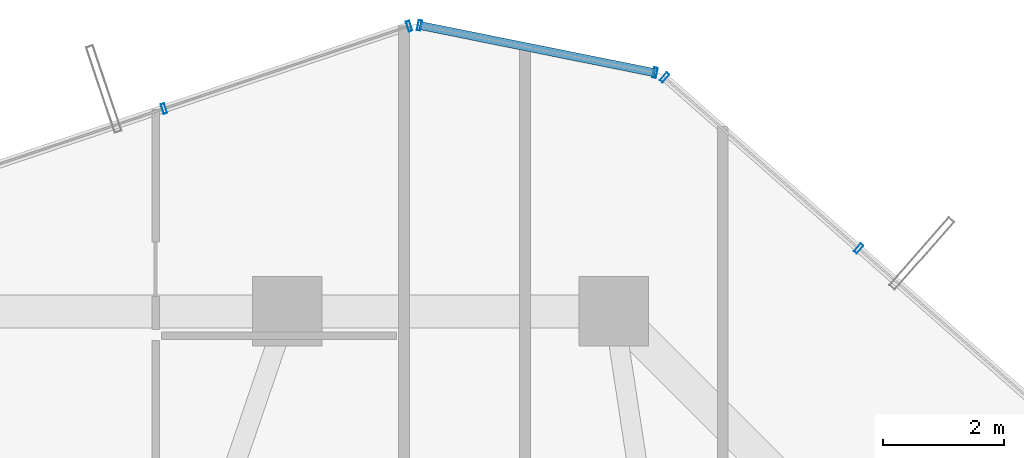
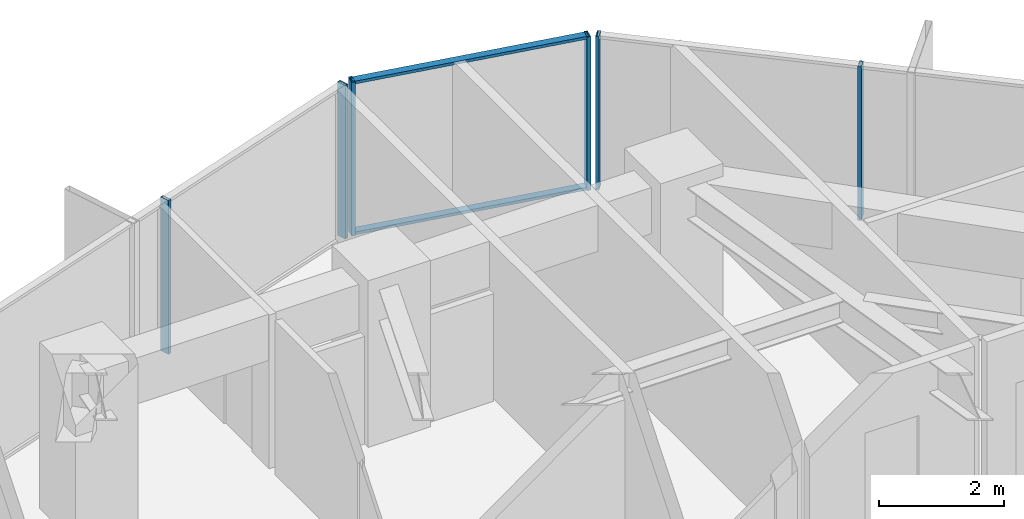
# One storey, part 23 of 32: 8 members, 3 elements without a shape of their own.
"""IFC4 building model written with IfcOpenShell, lengths in metres."""

import ifcopenshell
import ifcopenshell.guid

model = None  # the IFC model being written
_history = None  # IfcOwnerHistory: only IFC2X3 demands one
_inside = {}  # id of a spatial element -> (the spatial element, [elements in it])
_under = {}  # id of a project, library or spatial element -> (it, [spatial elements below it])
_declared = {}  # id of a project -> (the project, [libraries it declares])
_typed = {}  # id of a type object -> (the type object, [elements of that type])
_made_of = {}  # id of a material, layer set ... -> (it, [elements and type objects made of it])


def new_model(schema):
    """Start an empty IFC model of exactly this schema.

    Asked for "IFC4X3", IfcOpenShell would pick the latest addendum, in which some entities
    have other attributes; the version numbers below select the first issue.
    IFC2X3 requires an IfcOwnerHistory on every rooted entity: one is made here for all.
    """
    global model, _history
    if schema == "IFC4X3":
        model = ifcopenshell.file(schema_version=(4, 3, 0, 0))
    else:
        model = ifcopenshell.file(schema=schema)
    _inside.clear()
    _under.clear()
    _declared.clear()
    _typed.clear()
    _made_of.clear()
    _history = None
    if model.schema == "IFC2X3":
        org = make("IfcOrganization", Name="unknown")
        user = make(
            "IfcPersonAndOrganization",
            ThePerson=make("IfcPerson", FamilyName="unknown"),
            TheOrganization=org,
        )
        app = make(
            "IfcApplication",
            ApplicationDeveloper=org,
            Version="unknown",
            ApplicationFullName="unknown",
            ApplicationIdentifier="unknown",
        )
        _history = make(
            "IfcOwnerHistory",
            OwningUser=user,
            OwningApplication=app,
            ChangeAction="ADDED",
            CreationDate=0,
        )
    return model


def make(cls, **values):
    """One entity of the class cls with the attributes given. An attribute that is None is left unset."""
    return model.create_entity(
        cls, **{name: value for name, value in values.items() if value is not None}
    )


def rooted(cls, **values):
    """An entity with a GlobalId (a new one), such as an element, a storey or a relation."""
    return make(cls, GlobalId=ifcopenshell.guid.new(), OwnerHistory=_history, **values)


def si_unit(unit_type, name, prefix=None):
    """IfcSIUnit, for example si_unit("LENGTHUNIT", "METRE", prefix="MILLI")."""
    return make("IfcSIUnit", UnitType=unit_type, Prefix=prefix, Name=name)


def assignment(units):
    """IfcUnitAssignment: the units of a project."""
    return None if units is None else make("IfcUnitAssignment", Units=units)


def point(xyz):
    """IfcCartesianPoint."""
    return None if xyz is None else make("IfcCartesianPoint", Coordinates=xyz)


def direction(xyz):
    """IfcDirection."""
    return None if xyz is None else make("IfcDirection", DirectionRatios=xyz)


def frame(location, z_axis=None, x_axis=None):
    """IfcAxis2Placement3D, a coordinate frame: its origin and axes. An axis left out is left unset."""
    return make(
        "IfcAxis2Placement3D",
        Location=point(location),
        Axis=direction(z_axis),
        RefDirection=direction(x_axis),
    )


def frame_2d(location, x_axis=None):
    """IfcAxis2Placement2D, a coordinate frame in the plane: its origin and x axis."""
    return make(
        "IfcAxis2Placement2D", Location=point(location), RefDirection=direction(x_axis)
    )


def origin():
    """The frame at (0, 0, 0) with its axes left unset."""
    return frame((0.0, 0.0, 0.0))


def origin_2d():
    """The frame at (0, 0) in the plane with its x axis left unset."""
    return frame_2d((0.0, 0.0))


def place(relative_to, where):
    """IfcLocalPlacement: puts the frame where relative to a parent placement (None: the world)."""
    return make(
        "IfcLocalPlacement", PlacementRelTo=relative_to, RelativePlacement=where
    )


def context(
    kind, dimensions, precision=None, world=None, true_north=None, identifier=None
):
    """IfcGeometricRepresentationContext, for example the 3D "Model" context."""
    return make(
        "IfcGeometricRepresentationContext",
        ContextIdentifier=identifier,
        ContextType=kind,
        CoordinateSpaceDimension=dimensions,
        Precision=precision,
        WorldCoordinateSystem=world,
        TrueNorth=true_north,
    )


def subcontext(parent, identifier, kind, view, scale=None):
    """IfcGeometricRepresentationSubContext, for example "Body" below "Model"."""
    return make(
        "IfcGeometricRepresentationSubContext",
        ContextIdentifier=identifier,
        ContextType=kind,
        ParentContext=parent,
        TargetScale=scale,
        TargetView=view,
    )


def project(units=None, contexts=None):
    """IfcProject with its units and contexts."""
    return rooted(
        "IfcProject",
        Name="project",
        RepresentationContexts=contexts,
        UnitsInContext=assignment(units),
    )


def spatial(cls, under=None, at=None, **own):
    """A site, building, storey or space (cls), placed at a placement, below another one or the project."""
    s = rooted(cls, ObjectPlacement=at, **own)
    if under is not None:
        _under.setdefault(under.id(), (under, []))[1].append(s)
    return s


def profile(cls, at=None, kind="AREA", **sizes):
    """A parametric profile (cls). Its sizes go by their IFC names, for example OverallWidth=200.0."""
    return make(cls, ProfileType=kind, Position=at, **sizes)


def hollow_rectangle(**sizes):
    """IfcRectangleHollowProfileDef."""
    return profile("IfcRectangleHollowProfileDef", **sizes)


def extrude(swept, where, along, depth):
    """IfcExtrudedAreaSolid: the profile swept, set in the frame where, extruded along a direction by depth."""
    return make(
        "IfcExtrudedAreaSolid",
        SweptArea=swept,
        Position=where,
        ExtrudedDirection=direction(along),
        Depth=depth,
    )


def shape(context_of_items, identifier, shape_type, items):
    """IfcShapeRepresentation: the items that make up one representation, for example the "Body"."""
    return make(
        "IfcShapeRepresentation",
        ContextOfItems=context_of_items,
        RepresentationIdentifier=identifier,
        RepresentationType=shape_type,
        Items=items,
    )


def source(mapping_origin, context_of_items, identifier, shape_type, items):
    """IfcRepresentationMap: a shape defined once, which mapped items show again and again."""
    return make(
        "IfcRepresentationMap",
        MappingOrigin=mapping_origin,
        MappedRepresentation=shape(context_of_items, identifier, shape_type, items),
    )


def transform(
    local_origin,
    x_axis=None,
    y_axis=None,
    z_axis=None,
    scale=None,
    scale2=None,
    scale3=None,
    uniform=True,
):
    """IfcCartesianTransformationOperator3D, or its non-uniform kind. x_axis, y_axis, z_axis: its Axis1, 2, 3."""
    if uniform:
        return make(
            "IfcCartesianTransformationOperator3D",
            Axis1=direction(x_axis),
            Axis2=direction(y_axis),
            LocalOrigin=point(local_origin),
            Scale=scale,
            Axis3=direction(z_axis),
        )
    return make(
        "IfcCartesianTransformationOperator3DnonUniform",
        Axis1=direction(x_axis),
        Axis2=direction(y_axis),
        LocalOrigin=point(local_origin),
        Scale=scale,
        Axis3=direction(z_axis),
        Scale2=scale2,
        Scale3=scale3,
    )


def mapped(mapping_source, mapping_target):
    """IfcMappedItem: shows the shape of a source again, moved by a transform."""
    return make(
        "IfcMappedItem", MappingSource=mapping_source, MappingTarget=mapping_target
    )


def material(Name=None, Category=None):
    """IfcMaterial."""
    return make("IfcMaterial", Name=Name, Category=Category)


def layer(
    of_material, thickness, ventilated=None, Name=None, Category=None, Priority=None
):
    """IfcMaterialLayer: one layer of a wall or slab, of a material (None: an air gap)."""
    return make(
        "IfcMaterialLayer",
        Material=of_material,
        LayerThickness=thickness,
        IsVentilated=ventilated,
        Name=Name,
        Category=Category,
        Priority=Priority,
    )


def layer_set(layers, Name=None):
    """IfcMaterialLayerSet."""
    return make("IfcMaterialLayerSet", MaterialLayers=layers, LayerSetName=Name)


def material_profile(
    of_material, cross_section, Name=None, Category=None, Priority=None
):
    """IfcMaterialProfile: a cross section and its material."""
    return make(
        "IfcMaterialProfile",
        Name=Name,
        Material=of_material,
        Profile=cross_section,
        Priority=Priority,
        Category=Category,
    )


def profile_set(profiles, Name=None, composite=None):
    """IfcMaterialProfileSet."""
    return make(
        "IfcMaterialProfileSet",
        Name=Name,
        MaterialProfiles=profiles,
        CompositeProfile=composite,
    )


def made_of(thing, what):
    """Note that an element or type object is made of a material, layer set ...; save() writes the relation."""
    if what is not None:
        _made_of.setdefault(what.id(), (what, []))[1].append(thing)
    return thing


def type_object(cls, material=None, **own):
    """A type object (cls), such as IfcWallType, which elements share."""
    return made_of(rooted(cls, **own), material)


def element(
    cls,
    number,
    at=None,
    inside=None,
    cuts=None,
    type_object=None,
    material=None,
    context=None,
    identifier="Body",
    shape_type=None,
    held_by="IfcProductDefinitionShape",
    body=None,
    shapes=None,
    **own,
):
    """One element of the class cls, such as IfcWall. Its Tag is "e" and its number.

    at: its placement. inside: the storey or other place that contains it. cuts: it is an
    opening in that element (IfcRelVoidsElement). A single representation is given by context,
    identifier, shape_type and body (its items); several are given by shapes. held_by: the class
    of the entity that holds the representations. save() writes the other relations.
    """
    e = rooted(cls, Tag="e%d" % number, ObjectPlacement=at, **own)
    if body is not None:
        shapes = [shape(context, identifier, shape_type, body)]
    if shapes is not None:
        e.Representation = make(held_by, Representations=shapes)
    if inside is not None:
        _inside.setdefault(inside.id(), (inside, []))[1].append(e)
    if cuts is not None:
        rooted(
            "IfcRelVoidsElement", RelatingBuildingElement=cuts, RelatedOpeningElement=e
        )
    if type_object is not None:
        _typed.setdefault(type_object.id(), (type_object, []))[1].append(e)
    return made_of(e, material)


def aggregate(whole, parts):
    """IfcRelAggregates: a whole, such as a stair, and the parts it consists of."""
    return rooted("IfcRelAggregates", RelatingObject=whole, RelatedObjects=parts)


def save(model, path):
    """Write the relations noted so far, then the file.

    IfcRelAggregates (storeys below a building ...), IfcRelContainedInSpatialStructure (elements
    in a storey), IfcRelDefinesByType, IfcRelAssociatesMaterial and IfcRelDeclares: one each for
    every whole, place, type object, material and project.
    """
    for whole, parts in _under.values():
        aggregate(whole, parts)
    for where, things in _inside.values():
        rooted(
            "IfcRelContainedInSpatialStructure",
            RelatedElements=things,
            RelatingStructure=where,
        )
    for kind, things in _typed.values():
        rooted("IfcRelDefinesByType", RelatedObjects=things, RelatingType=kind)
    for what, things in _made_of.values():
        rooted("IfcRelAssociatesMaterial", RelatedObjects=things, RelatingMaterial=what)
    for by, libraries in _declared.values():
        rooted("IfcRelDeclares", RelatingContext=by, RelatedDefinitions=libraries)
    model.write(path)


model = new_model("IFC4")

# Units and contexts
model_context = context("Model", 3, precision=1e-05, world=origin(), true_north=direction((0.0, 1.0)))
body_context = subcontext(model_context, "Body", "Model", "MODEL_VIEW")
ifc_project = project(units=[si_unit("LENGTHUNIT", "METRE"), si_unit("AREAUNIT", "SQUARE_METRE"), si_unit("VOLUMEUNIT", "CUBIC_METRE"), si_unit("PLANEANGLEUNIT", "RADIAN"), si_unit("MASSUNIT", "GRAM", prefix="KILO")], contexts=[model_context])

# Site, building, storey
site_placement = place(None, origin())
site = spatial("IfcSite", under=ifc_project, at=site_placement, CompositionType="ELEMENT")
building_placement = place(site_placement, origin())
building = spatial("IfcBuilding", under=site, at=building_placement, Name="Veraguas Prism Commons", CompositionType="ELEMENT")
storey_placement = place(building_placement, frame((0.0, 0.0, 89.449951171875)))
storey = spatial("IfcBuildingStorey", under=building, at=storey_placement, Name="L24", CompositionType="ELEMENT", Elevation=89.449951171875)

# Curtain wall, members
ifc_material = material(Name="Anodised aluminium EN AW-6063 T6", Category="aluminium")
ifc_layer = layer(ifc_material, 0.169921875, Name="Unitised Flush Curtain Wall Zone 2", Category="aluminium")
ifc_layer_set = layer_set([ifc_layer], Name="Anodised aluminium EN AW-6063 T6")
curtain_wall_type = type_object("IfcCurtainWallType", Name="Unitised Flush Curtain Wall Zone 2", PredefinedType="NOTDEFINED", material=ifc_layer_set)
curtain_wall_1_placement = place(storey_placement, origin())
curtain_wall_1 = element("IfcCurtainWall", 1, at=curtain_wall_1_placement, inside=storey, type_object=curtain_wall_type, Name="Tower Facade Curtain Wall L24-F1", PredefinedType="NOTDEFINED")
ifc_material_profile_1 = material_profile(ifc_material, hollow_rectangle(XDim=0.06005859375, YDim=0.169921875, WallThickness=0.00390625, at=origin_2d()), Name="AL60X170X4")
ifc_profile_set_1 = profile_set([ifc_material_profile_1], Name="Anodised aluminium EN AW-6063 T6")
member_type_1 = type_object("IfcMemberType", Name="Curtain Wall Mullion Lower AL 60x170x4", PredefinedType="MULLION", material=ifc_profile_set_1)
shared_shape_1 = source(origin(), body_context, "Body", "SweptSolid", [
    extrude(hollow_rectangle(XDim=0.06005859375, YDim=0.169921875, WallThickness=0.00390625, at=origin_2d()), origin(), (0.0, 0.0, 1.0), 3.0),
])
member_1_placement = place(storey_placement, frame((33.447509765625, 41.24169921875, 0.0), z_axis=(0.0, 0.0, 1.0), x_axis=(-0.750341865315, 0.661049986881, 0.0)))
member_1 = element("IfcMember", 2, at=member_1_placement, type_object=member_type_1, Name="CW-Z2 Mullion 4", PredefinedType="MULLION", context=body_context, shape_type="MappedRepresentation", body=[
    mapped(shared_shape_1, transform((0.0, 0.0, 0.0), scale=1.0)),
])
member_2_placement = place(storey_placement, frame((30.2373046875, 44.070068359375, 0.0), z_axis=(0.0, 0.0, 1.0), x_axis=(-0.750341865315, 0.661049986881, 0.0)))
member_2 = element("IfcMember", 3, at=member_2_placement, type_object=member_type_1, Name="CW-Z2 Mullion 5", PredefinedType="MULLION", context=body_context, shape_type="MappedRepresentation", body=[
    mapped(shared_shape_1, transform((0.0, 0.0, 0.0), scale=1.0)),
])
aggregate(curtain_wall_1, [member_1, member_2])

curtain_wall_2_placement = place(storey_placement, origin())
curtain_wall_2 = element("IfcCurtainWall", 4, at=curtain_wall_2_placement, inside=storey, type_object=curtain_wall_type, Name="Tower Facade Curtain Wall L24-F2", PredefinedType="NOTDEFINED")
member_3_placement = place(storey_placement, frame((26.012939453125, 44.920166015625, 0.0), z_axis=(0.0, 0.0, 1.0), x_axis=(-0.94765924351, -0.319283507543, 0.0)))
member_3 = element("IfcMember", 5, at=member_3_placement, type_object=member_type_1, Name="CW-Z2 Mullion 1", PredefinedType="MULLION", context=body_context, shape_type="MappedRepresentation", body=[
    mapped(shared_shape_1, transform((0.0, 0.0, 0.0), scale=1.0)),
])
member_4_placement = place(storey_placement, frame((21.958251953125, 43.553955078125, 0.0), z_axis=(0.0, 0.0, 1.0), x_axis=(-0.94765924351, -0.319283507543, 0.0)))
member_4 = element("IfcMember", 6, at=member_4_placement, type_object=member_type_1, Name="CW-Z2 Mullion 2", PredefinedType="MULLION", context=body_context, shape_type="MappedRepresentation", body=[
    mapped(shared_shape_1, transform((0.0, 0.0, 0.0), scale=1.0)),
])
aggregate(curtain_wall_2, [member_3, member_4])

curtain_wall_3_placement = place(storey_placement, origin())
curtain_wall_3 = element("IfcCurtainWall", 7, at=curtain_wall_3_placement, inside=storey, type_object=curtain_wall_type, Name="Chamfer Curtain Wall L24-C2", PredefinedType="NOTDEFINED")
member_5_placement = place(storey_placement, frame((30.08154296875, 44.147216796875, 0.0), z_axis=(0.0, 0.0, 1.0), x_axis=(-0.980340454705, 0.197313438136, 0.0)))
member_5 = element("IfcMember", 8, at=member_5_placement, type_object=member_type_1, Name="CW-Z2 Mullion 1", PredefinedType="MULLION", context=body_context, shape_type="MappedRepresentation", body=[
    mapped(shared_shape_1, transform((0.0, 0.0, 0.0), scale=1.0)),
])
member_6_placement = place(storey_placement, frame((26.1865234375, 44.93115234375, 0.0), z_axis=(0.0, 0.0, 1.0), x_axis=(-0.980340454705, 0.197313438136, 0.0)))
member_6 = element("IfcMember", 9, at=member_6_placement, type_object=member_type_1, Name="CW-Z2 Mullion 2", PredefinedType="MULLION", context=body_context, shape_type="MappedRepresentation", body=[
    mapped(shared_shape_1, transform((0.0, 0.0, 0.0), scale=1.0)),
])
ifc_material_profile_2 = material_profile(ifc_material, hollow_rectangle(XDim=0.054931640625, YDim=0.135009765625, WallThickness=0.0029296875, at=origin_2d()), Name="AL55X135X3")
ifc_profile_set_2 = profile_set([ifc_material_profile_2], Name="Anodised aluminium EN AW-6063 T6")
member_type_2 = type_object("IfcMemberType", Name="Curtain Wall Transom Standard AL 55x135x3", PredefinedType="USERDEFINED", material=ifc_profile_set_2)
shared_shape_2 = source(origin(), body_context, "Body", "SweptSolid", [
    extrude(hollow_rectangle(XDim=0.054931640625, YDim=0.135009765625, WallThickness=0.0029296875, at=origin_2d()), origin(), (0.0, 0.0, 1.0), 3.97314453125),
])
member_7_placement = place(storey_placement, frame((30.08154296875, 44.147216796875, 0.027587890625), z_axis=(-0.980341247543, 0.197309498926, 0.0), x_axis=(0.0, 0.0, 1.0)))
member_7 = element("IfcMember", 10, at=member_7_placement, type_object=member_type_2, Name="CW-Z2 Transom 1", ObjectType="TRANSOM", PredefinedType="USERDEFINED", context=body_context, shape_type="MappedRepresentation", body=[
    mapped(shared_shape_2, transform((0.0, 0.0, 0.0), scale=1.0)),
])
member_8_placement = place(storey_placement, frame((30.08154296875, 44.147216796875, 2.97265625), z_axis=(-0.980341247543, 0.197309498926, 0.0), x_axis=(0.0, 0.0, 1.0)))
member_8 = element("IfcMember", 11, at=member_8_placement, type_object=member_type_2, Name="CW-Z2 Transom 2", ObjectType="TRANSOM", PredefinedType="USERDEFINED", context=body_context, shape_type="MappedRepresentation", body=[
    mapped(shared_shape_2, transform((0.0, 0.0, 0.0), scale=1.0)),
])
aggregate(curtain_wall_3, [member_5, member_6, member_7, member_8])

save(model, "model.ifc")
